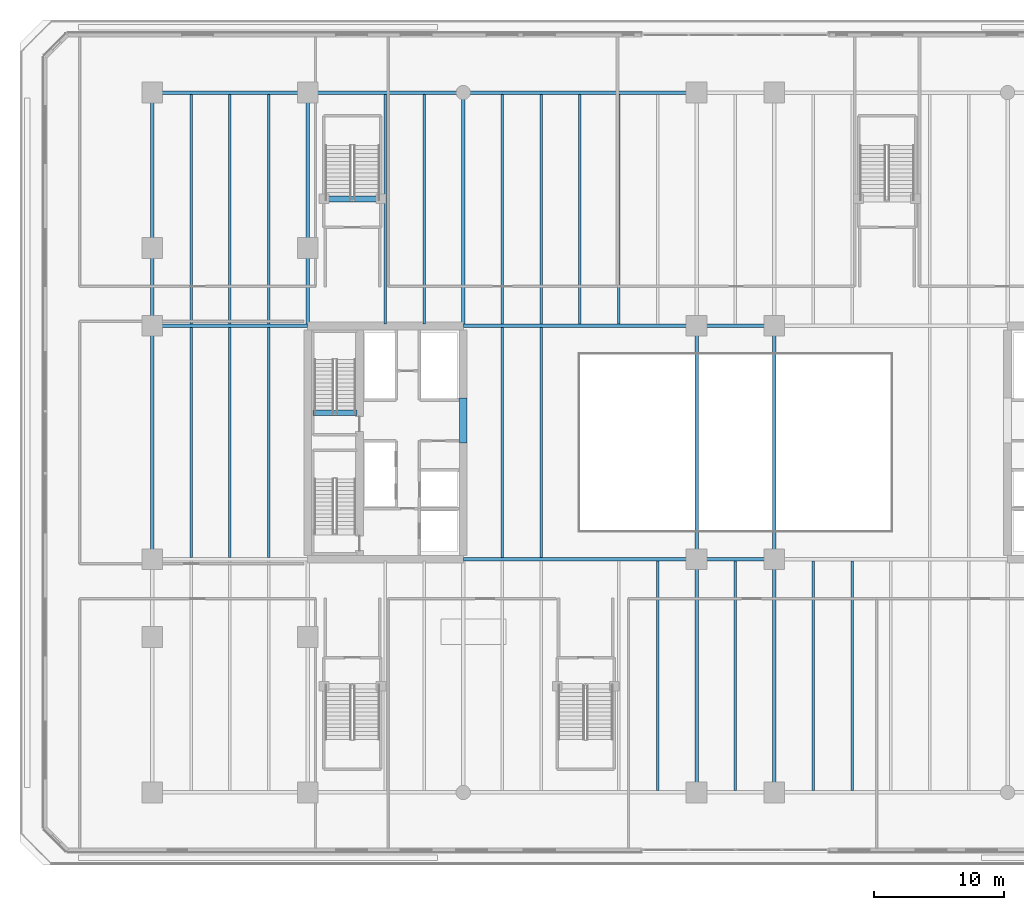
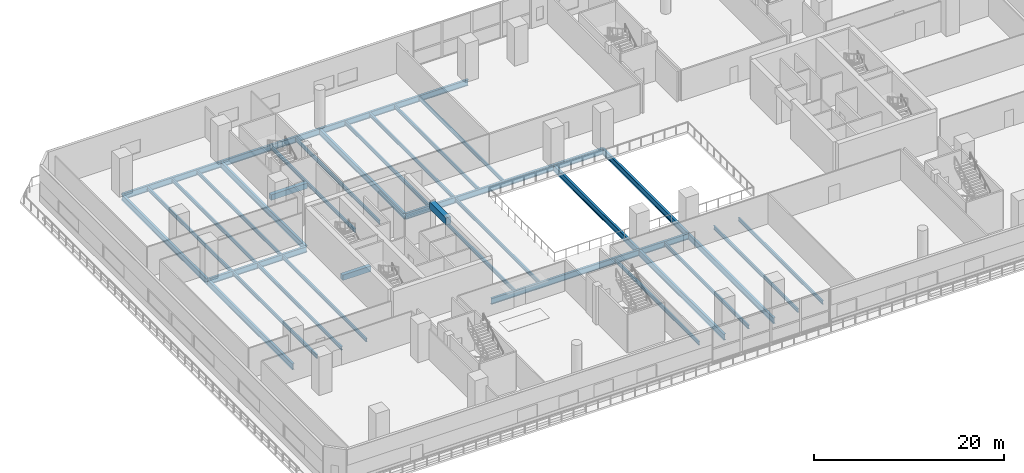
# One storey, part 5 of 27: 37 beams.
"""IFC4 building model written with IfcOpenShell, lengths in metres."""

from ifc_helpers import new_model, si_unit, direction, frame, origin, origin_2d, place, context, subcontext, project, spatial, rectangle, i_section, extrude, material, material_profile, profile_set, type_object, element, save


model = new_model("IFC4")

# Units and contexts
model_context = context("Model", 3, precision=1e-05, world=origin(), true_north=direction((0.0, 1.0)))
body_context = subcontext(model_context, "Body", "Model", "MODEL_VIEW")
ifc_project = project(units=[si_unit("LENGTHUNIT", "METRE"), si_unit("AREAUNIT", "SQUARE_METRE"), si_unit("VOLUMEUNIT", "CUBIC_METRE"), si_unit("PLANEANGLEUNIT", "RADIAN"), si_unit("MASSUNIT", "GRAM", prefix="KILO")], contexts=[model_context])

# Site, building, storey
site_placement = place(None, origin())
site = spatial("IfcSite", under=ifc_project, at=site_placement, CompositionType="ELEMENT")
building_placement = place(site_placement, origin())
building = spatial("IfcBuilding", under=site, at=building_placement, Name="Tanjung Sevakor Pilgrim Tower", CompositionType="ELEMENT")
storey_placement = place(building_placement, frame((0.0, 0.0, 9.89990234375)))
storey = spatial("IfcBuildingStorey", under=building, at=storey_placement, Name="L03", CompositionType="ELEMENT", Elevation=9.89990234375)

# Beams
ifc_material_1 = material(Name="Steel S355J2", Category="steel")
ifc_material_profile_1 = material_profile(ifc_material_1, i_section(OverallWidth=0.26806640625, OverallDepth=0.769775390625, WebThickness=0.015625, FlangeThickness=0.025390625, FilletRadius=0.0166015625, at=origin_2d()))
ifc_profile_set_1 = profile_set([ifc_material_profile_1], Name="Steel S355J2")
beam_type_1 = type_object("IfcBeamType", Name="BM-B-G1-UB_762x267x197", PredefinedType="BEAM", material=ifc_profile_set_1)
for number, where, z_axis, x_axis, name in (
    (1, (12.0, 24.60009765625, -0.664794921875), (0.0, 1.0, 0.0), (-1.0, 0.0, 0.0), "L03 Podium Girder NS X12-2"),
    (2, (12.0, 42.60009765625, -0.664794921875), (0.0, 1.0, 0.0), (-1.0, 0.0, 0.0), "L03 Podium Girder NS X12-3"),
    (3, (24.0, 42.60009765625, -0.664794921875), (0.0, 1.0, 0.0), (-1.0, 0.0, 0.0), "L03 Podium Girder NS X24-2"),
    (4, (36.0, 42.60009765625, -0.664794921875), (0.0, 1.0, 0.0), (-1.0, 0.0, 0.0), "L03 Podium Girder NS X36-2"),
    (5, (54.0, 6.60009765625, -0.664794921875), (0.0, 1.0, 0.0), (-1.0, 0.0, 0.0), "L03 Podium Girder NS X54-1"),
    (6, (54.0, 24.60009765625, -0.664794921875), (0.0, 1.0, 0.0), (-1.0, 0.0, 0.0), "L03 Podium Girder NS X54-2"),
    (7, (60.0, 6.60009765625, -0.664794921875), (0.0, 1.0, 0.0), (-1.0, 0.0, 0.0), "L03 Podium Girder NS X60-1"),
    (8, (60.0, 24.60009765625, -0.664794921875), (0.0, 1.0, 0.0), (-1.0, 0.0, 0.0), "L03 Podium Girder NS X60-2"),
):
    element("IfcBeam", number, at=place(storey_placement, frame(where, z_axis=z_axis, x_axis=x_axis)), inside=storey, type_object=beam_type_1, Name=name, PredefinedType="BEAM", context=body_context, shape_type="SweptSolid", body=[
        extrude(i_section(OverallWidth=0.26806640625, OverallDepth=0.769775390625, WebThickness=0.015625, FlangeThickness=0.025390625, FilletRadius=0.0166015625, at=origin_2d()), origin(), (0.0, 0.0, 1.0), 18.0),
    ])
ifc_material_2 = material(Name="Steel S355J2", Category="steel")
ifc_material_profile_2 = material_profile(ifc_material_2, i_section(OverallWidth=0.19287109375, OverallDepth=0.46728515625, WebThickness=0.011474609375, FlangeThickness=0.01953125, FilletRadius=0.01025390625, at=origin_2d()))
ifc_profile_set_2 = profile_set([ifc_material_profile_2], Name="Steel S355J2")
beam_type_2 = type_object("IfcBeamType", Name="BM-B-J1-UB_457x191x98", PredefinedType="JOIST", material=ifc_profile_set_2)
for number, where, z_axis, x_axis, name in (
    (9, (15.0, 24.7333984375, -0.513427734375), (0.0, 1.0, 0.0), (-1.0, 0.0, 0.0), "L03 Secondary Joist 002"),
    (10, (15.0, 42.7333984375, -0.513427734375), (0.0, 1.0, 0.0), (-1.0, 0.0, 0.0), "L03 Secondary Joist 003"),
    (11, (18.0, 24.7333984375, -0.513427734375), (0.0, 1.0, 0.0), (-1.0, 0.0, 0.0), "L03 Secondary Joist 005"),
    (12, (18.0, 42.7333984375, -0.513427734375), (0.0, 1.0, 0.0), (-1.0, 0.0, 0.0), "L03 Secondary Joist 006"),
    (13, (21.0, 24.7333984375, -0.513427734375), (0.0, 1.0, 0.0), (-1.0, 0.0, 0.0), "L03 Secondary Joist 008"),
    (14, (21.0, 42.7333984375, -0.513427734375), (0.0, 1.0, 0.0), (-1.0, 0.0, 0.0), "L03 Secondary Joist 009"),
    (15, (30.0, 42.7333984375, -0.513427734375), (0.0, 1.0, 0.0), (-1.0, 0.0, 0.0), "L03 Secondary Joist 011"),
    (16, (33.0, 42.7333984375, -0.513427734375), (0.0, 1.0, 0.0), (-1.0, 0.0, 0.0), "L03 Secondary Joist 013"),
    (17, (39.0, 24.7333984375, -0.513427734375), (0.0, 1.0, 0.0), (-1.0, 0.0, 0.0), "L03 Secondary Joist 015"),
    (18, (39.0, 42.7333984375, -0.513427734375), (0.0, 1.0, 0.0), (-1.0, 0.0, 0.0), "L03 Secondary Joist 016"),
    (19, (42.0, 24.7333984375, -0.513427734375), (0.0, 1.0, 0.0), (-1.0, 0.0, 0.0), "L03 Secondary Joist 018"),
    (20, (42.0, 42.7333984375, -0.513427734375), (0.0, 1.0, 0.0), (-1.0, 0.0, 0.0), "L03 Secondary Joist 019"),
    (21, (45.0, 42.7333984375, -0.513427734375), (0.0, 1.0, 0.0), (-1.0, 0.0, 0.0), "L03 Secondary Joist 020"),
    (22, (48.0, 42.7333984375, -0.513427734375), (0.0, 1.0, 0.0), (-1.0, 0.0, 0.0), "L03 Secondary Joist 022"),
    (23, (51.0, 6.7333984375, -0.513427734375), (0.0, 1.0, 0.0), (-1.0, 0.0, 0.0), "L03 Secondary Joist 023"),
    (24, (57.0, 6.7333984375, -0.513427734375), (0.0, 1.0, 0.0), (-1.0, 0.0, 0.0), "L03 Secondary Joist 025"),
    (25, (63.0, 6.7333984375, -0.513427734375), (0.0, 1.0, 0.0), (-1.0, 0.0, 0.0), "L03 Secondary Joist 027"),
    (26, (66.0, 6.7333984375, -0.513427734375), (0.0, 1.0, 0.0), (-1.0, 0.0, 0.0), "L03 Secondary Joist 029"),
):
    element("IfcBeam", number, at=place(storey_placement, frame(where, z_axis=z_axis, x_axis=x_axis)), inside=storey, type_object=beam_type_2, Name=name, PredefinedType="JOIST", context=body_context, shape_type="SweptSolid", body=[
        extrude(i_section(OverallWidth=0.19287109375, OverallDepth=0.46728515625, WebThickness=0.011474609375, FlangeThickness=0.01953125, FilletRadius=0.01025390625, at=origin_2d()), origin(), (0.0, 0.0, 1.0), 17.7333984375),
    ])
ifc_material_3 = material(Name="Concrete C60/75", Category="concrete")
ifc_material_profile_3 = material_profile(ifc_material_3, rectangle(XDim=0.60009765625, YDim=0.89990234375, at=origin_2d()))
ifc_profile_set_3 = profile_set([ifc_material_profile_3], Name="Concrete C60/75")
beam_type_3 = type_object("IfcBeamType", Name="BM-B-LN1-RC-BM_600x900", PredefinedType="LINTEL", material=ifc_profile_set_3)
beam_1_placement = place(storey_placement, frame((36.0, 33.550048828125, 4.22021484375), z_axis=(0.0, 1.0, 0.0), x_axis=(-1.0, 0.0, 0.0)))
element("IfcBeam", 27, at=beam_1_placement, inside=storey, type_object=beam_type_3, Name="L03 W Core Coupling Lintel", PredefinedType="LINTEL", context=body_context, shape_type="SweptSolid", body=[
    extrude(rectangle(XDim=0.60009765625, YDim=0.89990234375, at=origin_2d()), origin(), (0.0, 0.0, 1.0), 3.5),
])
ifc_material_4 = material(Name="Concrete C60/75", Category="concrete")
ifc_material_profile_4 = material_profile(ifc_material_4, rectangle(XDim=0.449951171875, YDim=0.699951171875, at=origin_2d()))
ifc_profile_set_4 = profile_set([ifc_material_profile_4], Name="Concrete C60/75")
beam_type_4 = type_object("IfcBeamType", Name="BM-B-LN3-RC-BM_450x700", PredefinedType="LINTEL", material=ifc_profile_set_4)
beam_2_placement = place(storey_placement, frame((24.39990234375, 35.89990234375, -0.349853515625), z_axis=(1.0, 0.0, 0.0), x_axis=(0.0, 1.0, 0.0)))
element("IfcBeam", 28, at=beam_2_placement, inside=storey, type_object=beam_type_4, Name="L03 TS-W2 Stair Threshold Beam", PredefinedType="LINTEL", context=body_context, shape_type="SweptSolid", body=[
    extrude(rectangle(XDim=0.449951171875, YDim=0.699951171875, at=origin_2d()), origin(), (0.0, 0.0, 1.0), 3.400146484375),
])
beam_3_placement = place(storey_placement, frame((25.25, 52.39990234375, -0.349853515625), z_axis=(1.0, 0.0, 0.0), x_axis=(0.0, 1.0, 0.0)))
element("IfcBeam", 29, at=beam_3_placement, inside=storey, type_object=beam_type_4, Name="L03 PS-2 Stair Threshold Beam", PredefinedType="LINTEL", context=body_context, shape_type="SweptSolid", body=[
    extrude(rectangle(XDim=0.449951171875, YDim=0.699951171875, at=origin_2d()), origin(), (0.0, 0.0, 1.0), 4.39990234375),
])
ifc_material_5 = material(Name="Steel S355J2", Category="steel")
ifc_material_profile_5 = material_profile(ifc_material_5, i_section(OverallWidth=0.2666015625, OverallDepth=0.76220703125, WebThickness=0.014404296875, FlangeThickness=0.021484375, FilletRadius=0.0166015625, at=origin_2d()))
ifc_profile_set_5 = profile_set([ifc_material_profile_5], Name="Steel S355J2")
beam_type_5 = type_object("IfcBeamType", Name="BM-B-POD4-UB_762x267x173", PredefinedType="BEAM", material=ifc_profile_set_5)
beam_4_placement = place(storey_placement, frame((36.0, 24.60009765625, -0.660888671875), z_axis=(1.0, 0.0, 0.0), x_axis=(0.0, 1.0, 0.0)))
element("IfcBeam", 30, at=beam_4_placement, inside=storey, type_object=beam_type_5, Name="L03 Podium Girder EW Y24.6-2", PredefinedType="BEAM", context=body_context, shape_type="SweptSolid", body=[
    extrude(i_section(OverallWidth=0.2666015625, OverallDepth=0.76220703125, WebThickness=0.014404296875, FlangeThickness=0.021484375, FilletRadius=0.0166015625, at=origin_2d()), origin(), (0.0, 0.0, 1.0), 18.0),
])
beam_5_placement = place(storey_placement, frame((54.0, 24.60009765625, -0.660888671875), z_axis=(1.0, 0.0, 0.0), x_axis=(0.0, 1.0, 0.0)))
element("IfcBeam", 31, at=beam_5_placement, inside=storey, type_object=beam_type_5, Name="L03 Podium Girder EW Y24.6-3", PredefinedType="BEAM", context=body_context, shape_type="SweptSolid", body=[
    extrude(i_section(OverallWidth=0.2666015625, OverallDepth=0.76220703125, WebThickness=0.014404296875, FlangeThickness=0.021484375, FilletRadius=0.0166015625, at=origin_2d()), origin(), (0.0, 0.0, 1.0), 6.0),
])
beam_6_placement = place(storey_placement, frame((12.0, 42.60009765625, -0.660888671875), z_axis=(1.0, 0.0, 0.0), x_axis=(0.0, 1.0, 0.0)))
element("IfcBeam", 32, at=beam_6_placement, inside=storey, type_object=beam_type_5, Name="L03 Podium Girder EW Y42.6-1", PredefinedType="BEAM", context=body_context, shape_type="SweptSolid", body=[
    extrude(i_section(OverallWidth=0.2666015625, OverallDepth=0.76220703125, WebThickness=0.014404296875, FlangeThickness=0.021484375, FilletRadius=0.0166015625, at=origin_2d()), origin(), (0.0, 0.0, 1.0), 12.0),
])
beam_7_placement = place(storey_placement, frame((36.0, 42.60009765625, -0.660888671875), z_axis=(1.0, 0.0, 0.0), x_axis=(0.0, 1.0, 0.0)))
element("IfcBeam", 33, at=beam_7_placement, inside=storey, type_object=beam_type_5, Name="L03 Podium Girder EW Y42.6-2", PredefinedType="BEAM", context=body_context, shape_type="SweptSolid", body=[
    extrude(i_section(OverallWidth=0.2666015625, OverallDepth=0.76220703125, WebThickness=0.014404296875, FlangeThickness=0.021484375, FilletRadius=0.0166015625, at=origin_2d()), origin(), (0.0, 0.0, 1.0), 18.0),
])
beam_8_placement = place(storey_placement, frame((54.0, 42.60009765625, -0.660888671875), z_axis=(1.0, 0.0, 0.0), x_axis=(0.0, 1.0, 0.0)))
element("IfcBeam", 34, at=beam_8_placement, inside=storey, type_object=beam_type_5, Name="L03 Podium Girder EW Y42.6-3", PredefinedType="BEAM", context=body_context, shape_type="SweptSolid", body=[
    extrude(i_section(OverallWidth=0.2666015625, OverallDepth=0.76220703125, WebThickness=0.014404296875, FlangeThickness=0.021484375, FilletRadius=0.0166015625, at=origin_2d()), origin(), (0.0, 0.0, 1.0), 6.0),
])
for number, where, z_axis, x_axis, name in (
    (35, (12.0, 60.60009765625, -0.660888671875), (1.0, 0.0, 0.0), (0.0, 1.0, 0.0), "L03 Podium Girder EW Y60.6-1"),
    (36, (24.0, 60.60009765625, -0.660888671875), (1.0, 0.0, 0.0), (0.0, 1.0, 0.0), "L03 Podium Girder EW Y60.6-2"),
):
    element("IfcBeam", number, at=place(storey_placement, frame(where, z_axis=z_axis, x_axis=x_axis)), inside=storey, type_object=beam_type_5, Name=name, PredefinedType="BEAM", context=body_context, shape_type="SweptSolid", body=[
        extrude(i_section(OverallWidth=0.2666015625, OverallDepth=0.76220703125, WebThickness=0.014404296875, FlangeThickness=0.021484375, FilletRadius=0.0166015625, at=origin_2d()), origin(), (0.0, 0.0, 1.0), 12.0),
    ])
beam_9_placement = place(storey_placement, frame((36.0, 60.60009765625, -0.660888671875), z_axis=(1.0, 0.0, 0.0), x_axis=(0.0, 1.0, 0.0)))
element("IfcBeam", 37, at=beam_9_placement, inside=storey, type_object=beam_type_5, Name="L03 Podium Girder EW Y60.6-3", PredefinedType="BEAM", context=body_context, shape_type="SweptSolid", body=[
    extrude(i_section(OverallWidth=0.2666015625, OverallDepth=0.76220703125, WebThickness=0.014404296875, FlangeThickness=0.021484375, FilletRadius=0.0166015625, at=origin_2d()), origin(), (0.0, 0.0, 1.0), 18.0),
])

save(model, "model.ifc")
